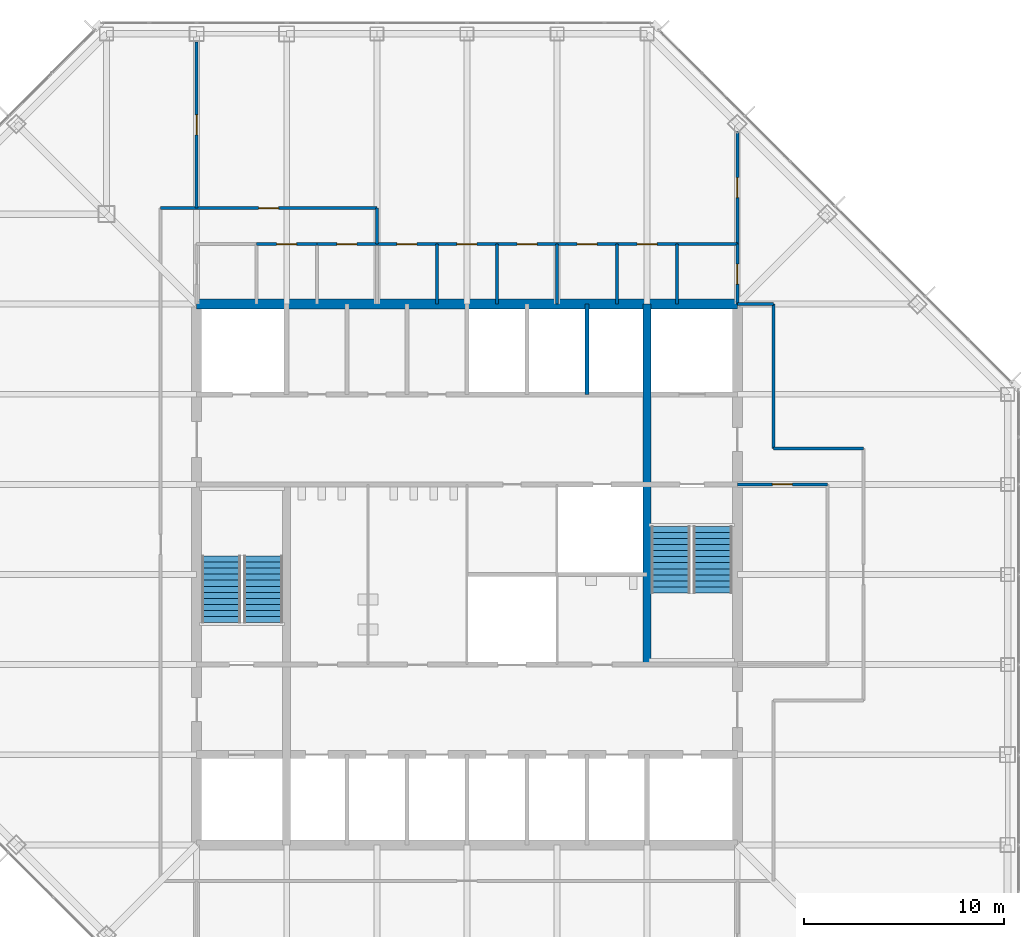
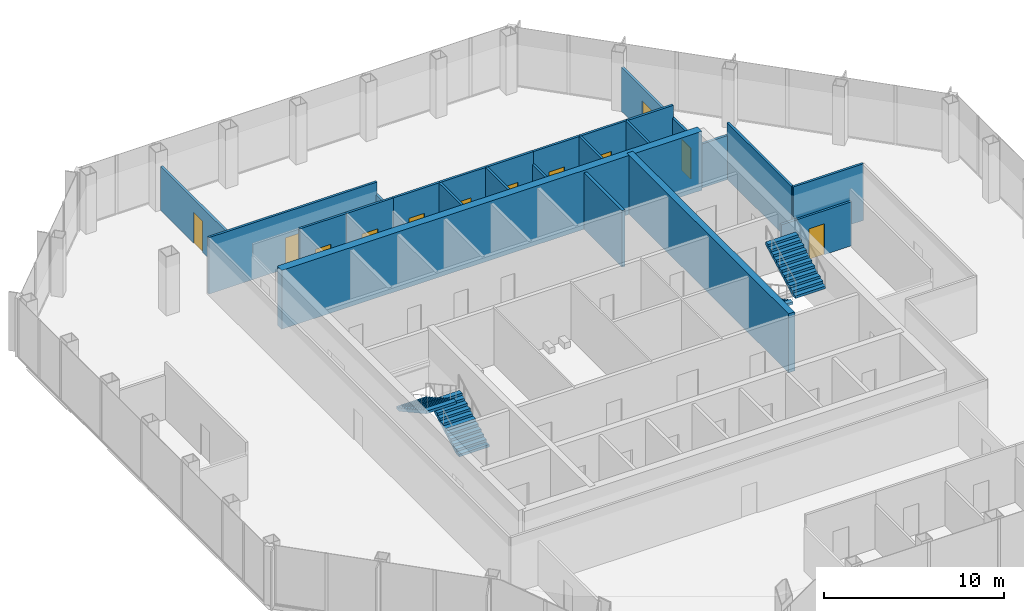
# One storey, part 10 of 12: 25 walls, 12 doors, 4 stair flights, 12 openings, 2 elements without a shape of their own.
"""IFC4 building model written with IfcOpenShell, lengths in metres."""

from ifc_helpers import new_model, si_unit, direction, frame, frame_2d, origin, place, context, subcontext, project, spatial, polyline, rectangle, outline, extrude, material, layer, layer_set, type_object, element, fill, aggregate, save


model = new_model("IFC4")

# Units and contexts
model_context = context("Model", 3, precision=1e-05, world=origin(), true_north=direction((0.0, 1.0)))
body_context = subcontext(model_context, "Body", "Model", "MODEL_VIEW")
ifc_project = project(units=[si_unit("LENGTHUNIT", "METRE"), si_unit("AREAUNIT", "SQUARE_METRE"), si_unit("VOLUMEUNIT", "CUBIC_METRE"), si_unit("PLANEANGLEUNIT", "RADIAN"), si_unit("MASSUNIT", "GRAM", prefix="KILO")], contexts=[model_context])

# Site, building, storey
site_placement = place(None, origin())
site = spatial("IfcSite", under=ifc_project, at=site_placement, CompositionType="ELEMENT")
building_placement = place(site_placement, origin())
building = spatial("IfcBuilding", under=site, at=building_placement, Name="Corais Broadcast Tower", CompositionType="ELEMENT")
storey_placement = place(building_placement, frame((0.0, 0.0, 159.60009765625)))
storey = spatial("IfcBuildingStorey", under=building, at=storey_placement, Name="L36", CompositionType="ELEMENT", Elevation=159.60009765625)

# Walls
ifc_material_1 = material(Name="Concrete C50/60", Category="concrete")
ifc_layer_1 = layer(ifc_material_1, 0.39990234375)
ifc_layer_set_1 = layer_set([ifc_layer_1], Name="Concrete C50/60")
wall_type_1 = type_object("IfcWallType", Name="Core wall 400", PredefinedType="SHEAR", material=ifc_layer_set_1)
wall_1_placement = place(storey_placement, frame((36.0, 22.5, 0.0), z_axis=(0.0, 0.0, 1.0), x_axis=(0.0, 1.0, 0.0)))
element("IfcWall", 1, at=wall_1_placement, inside=storey, type_object=wall_type_1, Name="CR400 core wall X36B L36", PredefinedType="SHEAR", context=body_context, shape_type="SweptSolid", body=[
    extrude(rectangle(XDim=18.0, YDim=0.39990234375, at=frame_2d((9.0, 0.0))), origin(), (0.0, 0.0, 1.0), 4.0),
])
ifc_material_2 = material(Name="Concrete C50/60", Category="concrete")
ifc_layer_2 = layer(ifc_material_2, 0.5)
ifc_layer_set_2 = layer_set([ifc_layer_2], Name="Concrete C50/60")
wall_type_2 = type_object("IfcWallType", Name="Core wall 500", PredefinedType="SHEAR", material=ifc_layer_set_2)
wall_2_placement = place(storey_placement, frame((40.5, 40.5, 0.0), z_axis=(0.0, 0.0, 1.0), x_axis=(-1.0, 0.0, 0.0)))
element("IfcWall", 2, at=wall_2_placement, inside=storey, type_object=wall_type_2, Name="CR500 core wall N L36", PredefinedType="SHEAR", context=body_context, shape_type="SweptSolid", body=[
    extrude(rectangle(XDim=27.0, YDim=0.5, at=frame_2d((13.5, 0.0))), origin(), (0.0, 0.0, 1.0), 4.0),
])

# Wall, opening, door
ifc_material_3 = material(Name="Gypsum board on steel studs", Category="steel")
ifc_layer_3 = layer(ifc_material_3, 0.14990234375)
ifc_layer_set_3 = layer_set([ifc_layer_3], Name="Gypsum board on steel studs")
wall_type_3 = type_object("IfcWallType", Name="Partition 150", PredefinedType="PARTITIONING", material=ifc_layer_set_3)
wall_3_placement = place(storey_placement, frame((22.5, 45.300048828125, 0.0), z_axis=(0.0, 0.0, 1.0), x_axis=(-1.0, 0.0, 0.0)))
wall_3 = element("IfcWall", 3, at=wall_3_placement, inside=storey, type_object=wall_type_3, Name="IW3 corridor wall L36", PredefinedType="PARTITIONING", context=body_context, shape_type="SweptSolid", body=[
    extrude(rectangle(XDim=10.800048828125, YDim=0.14990234375, at=frame_2d((5.39990234375, 0.0))), origin(), (0.0, 0.0, 1.0), 3.83984375),
])
opening_1_placement = place(wall_3_placement, frame((4.89990234375, 0.0, 0.0)))
opening_1 = element("IfcOpeningElement", 4, at=opening_1_placement, cuts=wall_3, Name="Opening D1", PredefinedType="OPENING", context=body_context, shape_type="SweptSolid", body=[
    extrude(rectangle(XDim=1.0, YDim=2.10009765625, at=frame_2d((0.5, 1.050048828125))), frame((0.0, 0.0849609375, 0.0), z_axis=(0.0, -1.0, 0.0), x_axis=(1.0, 0.0, 0.0)), (0.0, 0.0, 1.0), 0.169921875),
])
ifc_material_4 = material(Name="Timber door", Category="wood")
door_type = type_object("IfcDoorType", Name="Single door 1000x2100", OperationType="SINGLE_SWING_LEFT", PredefinedType="DOOR", material=ifc_material_4)
door_1_placement = place(opening_1_placement, origin())
door_1 = element("IfcDoor", 5, at=door_1_placement, inside=storey, type_object=door_type, Name="D1 workplace door L36", OperationType="SINGLE_SWING_LEFT", OverallHeight=2.10009765625, OverallWidth=1.0, PredefinedType="DOOR", context=body_context, shape_type="SweptSolid", body=[
    extrude(rectangle(XDim=1.0, YDim=2.10009765625, at=frame_2d((0.5, 1.050048828125))), frame((0.0, 0.02490234375, 0.0), z_axis=(0.0, -1.0, 0.0), x_axis=(1.0, 0.0, 0.0)), (0.0, 0.0, 1.0), 0.050048828125),
])
fill(opening_1, door_1)

# Walls
wall_4_placement = place(storey_placement, frame((42.300048828125, 33.300048828125, 0.0), z_axis=(0.0, 0.0, 1.0), x_axis=(0.0, 1.0, 0.0)))
element("IfcWall", 6, at=wall_4_placement, inside=storey, type_object=wall_type_3, Name="IW3 corridor wall L36", PredefinedType="PARTITIONING", context=body_context, shape_type="SweptSolid", body=[
    extrude(rectangle(XDim=7.199951171875, YDim=0.14990234375, at=frame_2d((3.60009765625, 0.0))), origin(), (0.0, 0.0, 1.0), 3.83984375),
])
wall_5_placement = place(storey_placement, frame((46.800048828125, 33.300048828125, 0.0), z_axis=(0.0, 0.0, 1.0), x_axis=(-1.0, 0.0, 0.0)))
element("IfcWall", 7, at=wall_5_placement, inside=storey, type_object=wall_type_3, Name="IW3 corridor wall L36", PredefinedType="PARTITIONING", context=body_context, shape_type="SweptSolid", body=[
    extrude(rectangle(XDim=4.5, YDim=0.14990234375, at=frame_2d((2.25, 0.0))), origin(), (0.0, 0.0, 1.0), 3.83984375),
])
for number, where, z_axis, x_axis, name in (
    (8, (22.5, 43.5, 0.0), (0.0, 0.0, 1.0), (0.0, 1.0, 0.0), "IW3 corridor wall L36"),
    (9, (42.300048828125, 40.5, 0.0), (0.0, 0.0, 1.0), (-1.0, 0.0, 0.0), "IW3 corridor wall L36"),
):
    element("IfcWall", number, at=place(storey_placement, frame(where, z_axis=z_axis, x_axis=x_axis)), inside=storey, type_object=wall_type_3, Name=name, PredefinedType="PARTITIONING", context=body_context, shape_type="SweptSolid", body=[
        extrude(rectangle(XDim=1.800048828125, YDim=0.14990234375, at=frame_2d((0.89990234375, 0.0))), origin(), (0.0, 0.0, 1.0), 2.989013671875),
    ])

# Wall, opening, door
wall_6_placement = place(storey_placement, frame((19.5, 43.5, 0.0), z_axis=(0.0, 0.0, 1.0), x_axis=(-1.0, 0.0, 0.0)))
wall_6 = element("IfcWall", 10, at=wall_6_placement, inside=storey, type_object=wall_type_3, Name="IW3 partition L36", PredefinedType="PARTITIONING", context=body_context, shape_type="SweptSolid", body=[
    extrude(rectangle(XDim=3.0, YDim=0.14990234375, at=frame_2d((1.5, 0.0))), origin(), (0.0, 0.0, 1.0), 3.83984375),
])
opening_2_placement = place(wall_6_placement, frame((1.0, 0.0, 0.0)))
opening_2 = element("IfcOpeningElement", 11, at=opening_2_placement, cuts=wall_6, Name="Opening D1", PredefinedType="OPENING", context=body_context, shape_type="SweptSolid", body=[
    extrude(rectangle(XDim=1.0, YDim=2.10009765625, at=frame_2d((0.5, 1.050048828125))), frame((0.0, 0.0849609375, 0.0), z_axis=(0.0, -1.0, 0.0), x_axis=(1.0, 0.0, 0.0)), (0.0, 0.0, 1.0), 0.169921875),
])
door_2_placement = place(opening_2_placement, origin())
door_2 = element("IfcDoor", 12, at=door_2_placement, inside=storey, type_object=door_type, Name="D1 Podcast booth door", OperationType="SINGLE_SWING_LEFT", OverallHeight=2.10009765625, OverallWidth=1.0, PredefinedType="DOOR", context=body_context, shape_type="SweptSolid", body=[
    extrude(rectangle(XDim=1.0, YDim=2.10009765625, at=frame_2d((0.5, 1.050048828125))), frame((0.0, 0.02490234375, 0.0), z_axis=(0.0, -1.0, 0.0), x_axis=(1.0, 0.0, 0.0)), (0.0, 0.0, 1.0), 0.050048828125),
])
fill(opening_2, door_2)

wall_7_placement = place(storey_placement, frame((22.5, 43.5, 0.0), z_axis=(0.0, 0.0, 1.0), x_axis=(-1.0, 0.0, 0.0)))
wall_7 = element("IfcWall", 13, at=wall_7_placement, inside=storey, type_object=wall_type_3, Name="IW3 partition L36", PredefinedType="PARTITIONING", context=body_context, shape_type="SweptSolid", body=[
    extrude(rectangle(XDim=3.0, YDim=0.14990234375, at=frame_2d((1.5, 0.0))), origin(), (0.0, 0.0, 1.0), 3.83984375),
])
opening_3_placement = place(wall_7_placement, frame((1.0, 0.0, 0.0)))
opening_3 = element("IfcOpeningElement", 14, at=opening_3_placement, cuts=wall_7, Name="Opening D1", PredefinedType="OPENING", context=body_context, shape_type="SweptSolid", body=[
    extrude(rectangle(XDim=1.0, YDim=2.10009765625, at=frame_2d((0.5, 1.050048828125))), frame((0.0, 0.0849609375, 0.0), z_axis=(0.0, -1.0, 0.0), x_axis=(1.0, 0.0, 0.0)), (0.0, 0.0, 1.0), 0.169921875),
])
door_3_placement = place(opening_3_placement, origin())
door_3 = element("IfcDoor", 15, at=door_3_placement, inside=storey, type_object=door_type, Name="D1 Podcast booth door", OperationType="SINGLE_SWING_LEFT", OverallHeight=2.10009765625, OverallWidth=1.0, PredefinedType="DOOR", context=body_context, shape_type="SweptSolid", body=[
    extrude(rectangle(XDim=1.0, YDim=2.10009765625, at=frame_2d((0.5, 1.050048828125))), frame((0.0, 0.02490234375, 0.0), z_axis=(0.0, -1.0, 0.0), x_axis=(1.0, 0.0, 0.0)), (0.0, 0.0, 1.0), 0.050048828125),
])
fill(opening_3, door_3)

# Wall
wall_8_placement = place(storey_placement, frame((25.5, 40.5, 0.0), z_axis=(0.0, 0.0, 1.0), x_axis=(0.0, 1.0, 0.0)))
element("IfcWall", 16, at=wall_8_placement, inside=storey, type_object=wall_type_3, Name="IW3 partition L36", PredefinedType="PARTITIONING", context=body_context, shape_type="SweptSolid", body=[
    extrude(rectangle(XDim=3.0, YDim=0.14990234375, at=frame_2d((1.5, 0.0))), origin(), (0.0, 0.0, 1.0), 3.83984375),
])

# Wall, opening, door
wall_9_placement = place(storey_placement, frame((25.5, 43.5, 0.0), z_axis=(0.0, 0.0, 1.0), x_axis=(-1.0, 0.0, 0.0)))
wall_9 = element("IfcWall", 17, at=wall_9_placement, inside=storey, type_object=wall_type_3, Name="IW3 partition L36", PredefinedType="PARTITIONING", context=body_context, shape_type="SweptSolid", body=[
    extrude(rectangle(XDim=3.0, YDim=0.14990234375, at=frame_2d((1.5, 0.0))), origin(), (0.0, 0.0, 1.0), 3.83984375),
])
opening_4_placement = place(wall_9_placement, frame((1.0, 0.0, 0.0)))
opening_4 = element("IfcOpeningElement", 18, at=opening_4_placement, cuts=wall_9, Name="Opening D1", PredefinedType="OPENING", context=body_context, shape_type="SweptSolid", body=[
    extrude(rectangle(XDim=1.0, YDim=2.10009765625, at=frame_2d((0.5, 1.050048828125))), frame((0.0, 0.0849609375, 0.0), z_axis=(0.0, -1.0, 0.0), x_axis=(1.0, 0.0, 0.0)), (0.0, 0.0, 1.0), 0.169921875),
])
door_4_placement = place(opening_4_placement, origin())
door_4 = element("IfcDoor", 19, at=door_4_placement, inside=storey, type_object=door_type, Name="D1 Podcast booth door", OperationType="SINGLE_SWING_LEFT", OverallHeight=2.10009765625, OverallWidth=1.0, PredefinedType="DOOR", context=body_context, shape_type="SweptSolid", body=[
    extrude(rectangle(XDim=1.0, YDim=2.10009765625, at=frame_2d((0.5, 1.050048828125))), frame((0.0, 0.02490234375, 0.0), z_axis=(0.0, -1.0, 0.0), x_axis=(1.0, 0.0, 0.0)), (0.0, 0.0, 1.0), 0.050048828125),
])
fill(opening_4, door_4)

# Wall
wall_10_placement = place(storey_placement, frame((28.5, 40.5, 0.0), z_axis=(0.0, 0.0, 1.0), x_axis=(0.0, 1.0, 0.0)))
element("IfcWall", 20, at=wall_10_placement, inside=storey, type_object=wall_type_3, Name="IW3 partition L36", PredefinedType="PARTITIONING", context=body_context, shape_type="SweptSolid", body=[
    extrude(rectangle(XDim=3.0, YDim=0.14990234375, at=frame_2d((1.5, 0.0))), origin(), (0.0, 0.0, 1.0), 3.83984375),
])

# Wall, opening, door
wall_11_placement = place(storey_placement, frame((28.5, 43.5, 0.0), z_axis=(0.0, 0.0, 1.0), x_axis=(-1.0, 0.0, 0.0)))
wall_11 = element("IfcWall", 21, at=wall_11_placement, inside=storey, type_object=wall_type_3, Name="IW3 partition L36", PredefinedType="PARTITIONING", context=body_context, shape_type="SweptSolid", body=[
    extrude(rectangle(XDim=3.0, YDim=0.14990234375, at=frame_2d((1.5, 0.0))), origin(), (0.0, 0.0, 1.0), 3.83984375),
])
opening_5_placement = place(wall_11_placement, frame((1.0, 0.0, 0.0)))
opening_5 = element("IfcOpeningElement", 22, at=opening_5_placement, cuts=wall_11, Name="Opening D1", PredefinedType="OPENING", context=body_context, shape_type="SweptSolid", body=[
    extrude(rectangle(XDim=1.0, YDim=2.10009765625, at=frame_2d((0.5, 1.050048828125))), frame((0.0, 0.0849609375, 0.0), z_axis=(0.0, -1.0, 0.0), x_axis=(1.0, 0.0, 0.0)), (0.0, 0.0, 1.0), 0.169921875),
])
door_5_placement = place(opening_5_placement, origin())
door_5 = element("IfcDoor", 23, at=door_5_placement, inside=storey, type_object=door_type, Name="D1 Podcast booth door", OperationType="SINGLE_SWING_LEFT", OverallHeight=2.10009765625, OverallWidth=1.0, PredefinedType="DOOR", context=body_context, shape_type="SweptSolid", body=[
    extrude(rectangle(XDim=1.0, YDim=2.10009765625, at=frame_2d((0.5, 1.050048828125))), frame((0.0, 0.02490234375, 0.0), z_axis=(0.0, -1.0, 0.0), x_axis=(1.0, 0.0, 0.0)), (0.0, 0.0, 1.0), 0.050048828125),
])
fill(opening_5, door_5)

# Wall
wall_12_placement = place(storey_placement, frame((31.5, 40.5, 0.0), z_axis=(0.0, 0.0, 1.0), x_axis=(0.0, 1.0, 0.0)))
element("IfcWall", 24, at=wall_12_placement, inside=storey, type_object=wall_type_3, Name="IW3 partition L36", PredefinedType="PARTITIONING", context=body_context, shape_type="SweptSolid", body=[
    extrude(rectangle(XDim=3.0, YDim=0.14990234375, at=frame_2d((1.5, 0.0))), origin(), (0.0, 0.0, 1.0), 2.989013671875),
])

# Wall, opening, door
wall_13_placement = place(storey_placement, frame((31.5, 43.5, 0.0), z_axis=(0.0, 0.0, 1.0), x_axis=(-1.0, 0.0, 0.0)))
wall_13 = element("IfcWall", 25, at=wall_13_placement, inside=storey, type_object=wall_type_3, Name="IW3 partition L36", PredefinedType="PARTITIONING", context=body_context, shape_type="SweptSolid", body=[
    extrude(rectangle(XDim=3.0, YDim=0.14990234375, at=frame_2d((1.5, 0.0))), origin(), (0.0, 0.0, 1.0), 3.83984375),
])
opening_6_placement = place(wall_13_placement, frame((1.0, 0.0, 0.0)))
opening_6 = element("IfcOpeningElement", 26, at=opening_6_placement, cuts=wall_13, Name="Opening D1", PredefinedType="OPENING", context=body_context, shape_type="SweptSolid", body=[
    extrude(rectangle(XDim=1.0, YDim=2.10009765625, at=frame_2d((0.5, 1.050048828125))), frame((0.0, 0.0849609375, 0.0), z_axis=(0.0, -1.0, 0.0), x_axis=(1.0, 0.0, 0.0)), (0.0, 0.0, 1.0), 0.169921875),
])
door_6_placement = place(opening_6_placement, origin())
door_6 = element("IfcDoor", 27, at=door_6_placement, inside=storey, type_object=door_type, Name="D1 Podcast booth door", OperationType="SINGLE_SWING_LEFT", OverallHeight=2.10009765625, OverallWidth=1.0, PredefinedType="DOOR", context=body_context, shape_type="SweptSolid", body=[
    extrude(rectangle(XDim=1.0, YDim=2.10009765625, at=frame_2d((0.5, 1.050048828125))), frame((0.0, 0.02490234375, 0.0), z_axis=(0.0, -1.0, 0.0), x_axis=(1.0, 0.0, 0.0)), (0.0, 0.0, 1.0), 0.050048828125),
])
fill(opening_6, door_6)

# Wall
wall_14_placement = place(storey_placement, frame((34.5, 40.5, 0.0), z_axis=(0.0, 0.0, 1.0), x_axis=(0.0, 1.0, 0.0)))
element("IfcWall", 28, at=wall_14_placement, inside=storey, type_object=wall_type_3, Name="IW3 partition L36", PredefinedType="PARTITIONING", context=body_context, shape_type="SweptSolid", body=[
    extrude(rectangle(XDim=3.0, YDim=0.14990234375, at=frame_2d((1.5, 0.0))), origin(), (0.0, 0.0, 1.0), 3.83984375),
])

# Wall, opening, door
wall_15_placement = place(storey_placement, frame((34.5, 43.5, 0.0), z_axis=(0.0, 0.0, 1.0), x_axis=(-1.0, 0.0, 0.0)))
wall_15 = element("IfcWall", 29, at=wall_15_placement, inside=storey, type_object=wall_type_3, Name="IW3 partition L36", PredefinedType="PARTITIONING", context=body_context, shape_type="SweptSolid", body=[
    extrude(rectangle(XDim=3.0, YDim=0.14990234375, at=frame_2d((1.5, 0.0))), origin(), (0.0, 0.0, 1.0), 3.83984375),
])
opening_7_placement = place(wall_15_placement, frame((1.0, 0.0, 0.0)))
opening_7 = element("IfcOpeningElement", 30, at=opening_7_placement, cuts=wall_15, Name="Opening D1", PredefinedType="OPENING", context=body_context, shape_type="SweptSolid", body=[
    extrude(rectangle(XDim=1.0, YDim=2.10009765625, at=frame_2d((0.5, 1.050048828125))), frame((0.0, 0.0849609375, 0.0), z_axis=(0.0, -1.0, 0.0), x_axis=(1.0, 0.0, 0.0)), (0.0, 0.0, 1.0), 0.169921875),
])
door_7_placement = place(opening_7_placement, origin())
door_7 = element("IfcDoor", 31, at=door_7_placement, inside=storey, type_object=door_type, Name="D1 Podcast booth door", OperationType="SINGLE_SWING_LEFT", OverallHeight=2.10009765625, OverallWidth=1.0, PredefinedType="DOOR", context=body_context, shape_type="SweptSolid", body=[
    extrude(rectangle(XDim=1.0, YDim=2.10009765625, at=frame_2d((0.5, 1.050048828125))), frame((0.0, 0.02490234375, 0.0), z_axis=(0.0, -1.0, 0.0), x_axis=(1.0, 0.0, 0.0)), (0.0, 0.0, 1.0), 0.050048828125),
])
fill(opening_7, door_7)

# Wall
wall_16_placement = place(storey_placement, frame((37.5, 40.5, 0.0), z_axis=(0.0, 0.0, 1.0), x_axis=(0.0, 1.0, 0.0)))
element("IfcWall", 32, at=wall_16_placement, inside=storey, type_object=wall_type_3, Name="IW3 partition L36", PredefinedType="PARTITIONING", context=body_context, shape_type="SweptSolid", body=[
    extrude(rectangle(XDim=3.0, YDim=0.14990234375, at=frame_2d((1.5, 0.0))), origin(), (0.0, 0.0, 1.0), 3.83984375),
])

# Wall, opening, door
wall_17_placement = place(storey_placement, frame((37.5, 43.5, 0.0), z_axis=(0.0, 0.0, 1.0), x_axis=(-1.0, 0.0, 0.0)))
wall_17 = element("IfcWall", 33, at=wall_17_placement, inside=storey, type_object=wall_type_3, Name="IW3 partition L36", PredefinedType="PARTITIONING", context=body_context, shape_type="SweptSolid", body=[
    extrude(rectangle(XDim=3.0, YDim=0.14990234375, at=frame_2d((1.5, 0.0))), origin(), (0.0, 0.0, 1.0), 3.83984375),
])
opening_8_placement = place(wall_17_placement, frame((1.0, 0.0, 0.0)))
opening_8 = element("IfcOpeningElement", 34, at=opening_8_placement, cuts=wall_17, Name="Opening D1", PredefinedType="OPENING", context=body_context, shape_type="SweptSolid", body=[
    extrude(rectangle(XDim=1.0, YDim=2.10009765625, at=frame_2d((0.5, 1.050048828125))), frame((0.0, 0.0849609375, 0.0), z_axis=(0.0, -1.0, 0.0), x_axis=(1.0, 0.0, 0.0)), (0.0, 0.0, 1.0), 0.169921875),
])
door_8_placement = place(opening_8_placement, origin())
door_8 = element("IfcDoor", 35, at=door_8_placement, inside=storey, type_object=door_type, Name="D1 Podcast booth door", OperationType="SINGLE_SWING_LEFT", OverallHeight=2.10009765625, OverallWidth=1.0, PredefinedType="DOOR", context=body_context, shape_type="SweptSolid", body=[
    extrude(rectangle(XDim=1.0, YDim=2.10009765625, at=frame_2d((0.5, 1.050048828125))), frame((0.0, 0.02490234375, 0.0), z_axis=(0.0, -1.0, 0.0), x_axis=(1.0, 0.0, 0.0)), (0.0, 0.0, 1.0), 0.050048828125),
])
fill(opening_8, door_8)

wall_18_placement = place(storey_placement, frame((40.5, 40.5, 0.0), z_axis=(0.0, 0.0, 1.0), x_axis=(0.0, 1.0, 0.0)))
wall_18 = element("IfcWall", 36, at=wall_18_placement, inside=storey, type_object=wall_type_3, Name="IW3 partition L36", PredefinedType="PARTITIONING", context=body_context, shape_type="SweptSolid", body=[
    extrude(rectangle(XDim=3.0, YDim=0.14990234375, at=frame_2d((1.5, 0.0))), origin(), (0.0, 0.0, 1.0), 2.989013671875),
])
opening_9_placement = place(wall_18_placement, frame((1.0, 0.0, 0.0)))
opening_9 = element("IfcOpeningElement", 37, at=opening_9_placement, cuts=wall_18, Name="Opening D1", PredefinedType="OPENING", context=body_context, shape_type="SweptSolid", body=[
    extrude(rectangle(XDim=1.0, YDim=2.10009765625, at=frame_2d((0.5, 1.050048828125))), frame((0.0, 0.0849609375, 0.0), z_axis=(0.0, -1.0, 0.0), x_axis=(1.0, 0.0, 0.0)), (0.0, 0.0, 1.0), 0.169921875),
])
door_9_placement = place(opening_9_placement, origin())
door_9 = element("IfcDoor", 38, at=door_9_placement, inside=storey, type_object=door_type, Name="D1 Podcast booth door", OperationType="SINGLE_SWING_LEFT", OverallHeight=2.10009765625, OverallWidth=1.0, PredefinedType="DOOR", context=body_context, shape_type="SweptSolid", body=[
    extrude(rectangle(XDim=1.0, YDim=2.10009765625, at=frame_2d((0.5, 1.050048828125))), frame((0.0, 0.02490234375, 0.0), z_axis=(0.0, -1.0, 0.0), x_axis=(1.0, 0.0, 0.0)), (0.0, 0.0, 1.0), 0.050048828125),
])
fill(opening_9, door_9)

# Wall
wall_19_placement = place(storey_placement, frame((40.5, 43.5, 0.0), z_axis=(0.0, 0.0, 1.0), x_axis=(-1.0, 0.0, 0.0)))
element("IfcWall", 39, at=wall_19_placement, inside=storey, type_object=wall_type_3, Name="IW3 partition L36", PredefinedType="PARTITIONING", context=body_context, shape_type="SweptSolid", body=[
    extrude(rectangle(XDim=3.0, YDim=0.14990234375, at=frame_2d((1.5, 0.0))), origin(), (0.0, 0.0, 1.0), 3.83984375),
])

# Wall, opening, door
wall_20_placement = place(storey_placement, frame((45.0, 31.5, 0.0), z_axis=(0.0, 0.0, 1.0), x_axis=(-1.0, 0.0, 0.0)))
wall_20 = element("IfcWall", 40, at=wall_20_placement, inside=storey, type_object=wall_type_3, Name="IW3 partition L36", PredefinedType="PARTITIONING", context=body_context, shape_type="SweptSolid", body=[
    extrude(rectangle(XDim=4.5, YDim=0.14990234375, at=frame_2d((2.25, 0.0))), origin(), (0.0, 0.0, 1.0), 2.989013671875),
])
opening_10_placement = place(wall_20_placement, frame((1.75, 0.0, 0.0)))
opening_10 = element("IfcOpeningElement", 41, at=opening_10_placement, cuts=wall_20, Name="Opening D1", PredefinedType="OPENING", context=body_context, shape_type="SweptSolid", body=[
    extrude(rectangle(XDim=1.0, YDim=2.10009765625, at=frame_2d((0.5, 1.050048828125))), frame((0.0, 0.0849609375, 0.0), z_axis=(0.0, -1.0, 0.0), x_axis=(1.0, 0.0, 0.0)), (0.0, 0.0, 1.0), 0.169921875),
])
door_10_placement = place(opening_10_placement, origin())
door_10 = element("IfcDoor", 42, at=door_10_placement, inside=storey, type_object=door_type, Name="D1 Meeting room door", OperationType="SINGLE_SWING_LEFT", OverallHeight=2.10009765625, OverallWidth=1.0, PredefinedType="DOOR", context=body_context, shape_type="SweptSolid", body=[
    extrude(rectangle(XDim=1.0, YDim=2.10009765625, at=frame_2d((0.5, 1.050048828125))), frame((0.0, 0.02490234375, 0.0), z_axis=(0.0, -1.0, 0.0), x_axis=(1.0, 0.0, 0.0)), (0.0, 0.0, 1.0), 0.050048828125),
])
fill(opening_10, door_10)

wall_21_placement = place(storey_placement, frame((40.5, 49.1298828125, 0.0), z_axis=(0.0, 0.0, 1.0), x_axis=(0.0, -1.0, 0.0)))
wall_21 = element("IfcWall", 43, at=wall_21_placement, inside=storey, type_object=wall_type_3, Name="IW3 partition L36", PredefinedType="PARTITIONING", context=body_context, shape_type="SweptSolid", body=[
    extrude(rectangle(XDim=5.6298828125, YDim=0.14990234375, at=frame_2d((2.81494140625, 0.0))), origin(), (0.0, 0.0, 1.0), 2.989013671875),
])
opening_11_placement = place(wall_21_placement, frame((2.31494140625, 0.0, 0.0)))
opening_11 = element("IfcOpeningElement", 44, at=opening_11_placement, cuts=wall_21, Name="Opening D1", PredefinedType="OPENING", context=body_context, shape_type="SweptSolid", body=[
    extrude(rectangle(XDim=1.0, YDim=2.10009765625, at=frame_2d((0.5, 1.050048828125))), frame((0.0, 0.0849609375, 0.0), z_axis=(0.0, -1.0, 0.0), x_axis=(1.0, 0.0, 0.0)), (0.0, 0.0, 1.0), 0.169921875),
])
door_11_placement = place(opening_11_placement, origin())
door_11 = element("IfcDoor", 45, at=door_11_placement, inside=storey, type_object=door_type, Name="D1 team room door L36", OperationType="SINGLE_SWING_LEFT", OverallHeight=2.10009765625, OverallWidth=1.0, PredefinedType="DOOR", context=body_context, shape_type="SweptSolid", body=[
    extrude(rectangle(XDim=1.0, YDim=2.10009765625, at=frame_2d((0.5, 1.050048828125))), frame((0.0, 0.02490234375, 0.0), z_axis=(0.0, -1.0, 0.0), x_axis=(1.0, 0.0, 0.0)), (0.0, 0.0, 1.0), 0.050048828125),
])
fill(opening_11, door_11)

wall_22_placement = place(storey_placement, frame((13.5, 45.300048828125, 0.0), z_axis=(0.0, 0.0, 1.0), x_axis=(0.0, 1.0, 0.0)))
wall_22 = element("IfcWall", 46, at=wall_22_placement, inside=storey, type_object=wall_type_3, Name="IW3 partition L36", PredefinedType="PARTITIONING", context=body_context, shape_type="SweptSolid", body=[
    extrude(rectangle(XDim=8.304931640625, YDim=0.14990234375, at=frame_2d((4.15234375, 0.0))), origin(), (0.0, 0.0, 1.0), 2.989013671875),
])
opening_12_placement = place(wall_22_placement, frame((3.652587890625, 0.0, 0.0)))
opening_12 = element("IfcOpeningElement", 47, at=opening_12_placement, cuts=wall_22, Name="Opening D1", PredefinedType="OPENING", context=body_context, shape_type="SweptSolid", body=[
    extrude(rectangle(XDim=1.0, YDim=2.10009765625, at=frame_2d((0.5, 1.050048828125))), frame((0.0, 0.0849609375, 0.0), z_axis=(0.0, -1.0, 0.0), x_axis=(1.0, 0.0, 0.0)), (0.0, 0.0, 1.0), 0.169921875),
])
door_12_placement = place(opening_12_placement, origin())
door_12 = element("IfcDoor", 48, at=door_12_placement, inside=storey, type_object=door_type, Name="D1 team room door L36", OperationType="SINGLE_SWING_LEFT", OverallHeight=2.10009765625, OverallWidth=1.0, PredefinedType="DOOR", context=body_context, shape_type="SweptSolid", body=[
    extrude(rectangle(XDim=1.0, YDim=2.10009765625, at=frame_2d((0.5, 1.050048828125))), frame((0.0, 0.02490234375, 0.0), z_axis=(0.0, -1.0, 0.0), x_axis=(1.0, 0.0, 0.0)), (0.0, 0.0, 1.0), 0.050048828125),
])
fill(opening_12, door_12)

# Wall
ifc_material_5 = material(Name="Concrete blockwork class A, grouted, two-hour", Category="masonry")
ifc_layer_4 = layer(ifc_material_5, 0.199951171875)
ifc_layer_set_4 = layer_set([ifc_layer_4], Name="Concrete blockwork class A, grouted, two-hour")
wall_type_4 = type_object("IfcWallType", Name="Shaft wall 200", PredefinedType="PARTITIONING", material=ifc_layer_set_4)
wall_23_placement = place(storey_placement, frame((33.0, 36.0, 0.0), z_axis=(0.0, 0.0, 1.0), x_axis=(0.0, 1.0, 0.0)))
element("IfcWall", 49, at=wall_23_placement, inside=storey, type_object=wall_type_4, Name="IW1 shaft wall L36", PredefinedType="PARTITIONING", context=body_context, shape_type="SweptSolid", body=[
    extrude(rectangle(XDim=4.5, YDim=0.199951171875, at=frame_2d((2.25, 0.0))), origin(), (0.0, 0.0, 1.0), 3.83984375),
])

# Stair, stair flights
ifc_material_6 = material(Name="Concrete C30/37", Category="concrete")
stair_type = type_object("IfcStairType", Name="Half-turn stair 4000", PredefinedType="HALF_TURN_STAIR", material=ifc_material_6)
stair_1_placement = place(storey_placement, origin())
stair_1 = element("IfcStair", 50, at=stair_1_placement, inside=storey, type_object=stair_type, Name="Stair A L36", PredefinedType="HALF_TURN_STAIR")
ifc_material_7 = material(Name="Concrete C30/37", Category="concrete")
stair_flight_type = type_object("IfcStairFlightType", Name="Stair flight 4000", PredefinedType="STRAIGHT", material=ifc_material_7)
stair_flight_1_placement = place(storey_placement, frame((16.824951171875, 24.60009765625, 0.0), z_axis=(0.0, 0.0, 1.0), x_axis=(0.0, 1.0, 0.0)))
stair_flight_1 = element("IfcStairFlight", 51, at=stair_flight_1_placement, type_object=stair_flight_type, Name="STA flight 1", NumberOfRisers=12, NumberOfTreads=11, PredefinedType="STRAIGHT", RiserHeight=0.166666667, TreadLength=0.302, context=body_context, shape_type="SweptSolid", body=[
    extrude(outline(polyline([(0.0, 0.0), (0.0, 0.166748046875), (0.302001953125, 0.166748046875), (0.302001953125, 0.333251953125), (0.60400390625, 0.333251953125), (0.60400390625, 0.5), (0.906005859375, 0.5), (0.906005859375, 0.666748046875), (1.2080078125, 0.666748046875), (1.2080078125, 0.833251953125), (1.510009765625, 0.833251953125), (1.510009765625, 1.0), (1.81201171875, 1.0), (1.81201171875, 1.166748046875), (2.114013671875, 1.166748046875), (2.114013671875, 1.333251953125), (2.416015625, 1.333251953125), (2.416015625, 1.5), (2.718017578125, 1.5), (2.718017578125, 1.666748046875), (3.02001953125, 1.666748046875), (3.02001953125, 1.833251953125), (3.322021484375, 1.833251953125), (3.322021484375, 2.0), (3.322021484375, 1.662109375), (0.310302734375, 0.0), (0.0, 0.0)])), frame((0.0, 0.97509765625, 0.0), z_axis=(0.0, -1.0, 0.0), x_axis=(1.0, 0.0, 0.0)), (0.0, 0.0, 1.0), 1.949951171875),
])
stair_flight_2_placement = place(storey_placement, frame((14.72509765625, 27.922119140625, 2.0), z_axis=(0.0, 0.0, 1.0), x_axis=(0.0, -1.0, 0.0)))
stair_flight_2 = element("IfcStairFlight", 52, at=stair_flight_2_placement, type_object=stair_flight_type, Name="STA flight 2", NumberOfRisers=12, NumberOfTreads=11, PredefinedType="STRAIGHT", RiserHeight=0.166666667, TreadLength=0.302, context=body_context, shape_type="SweptSolid", body=[
    extrude(outline(polyline([(0.0, 0.0), (0.0, 0.166748046875), (0.302001953125, 0.166748046875), (0.302001953125, 0.333251953125), (0.60400390625, 0.333251953125), (0.60400390625, 0.5), (0.906005859375, 0.5), (0.906005859375, 0.666748046875), (1.2080078125, 0.666748046875), (1.2080078125, 0.833251953125), (1.510009765625, 0.833251953125), (1.510009765625, 1.0), (1.81201171875, 1.0), (1.81201171875, 1.166748046875), (2.114013671875, 1.166748046875), (2.114013671875, 1.333251953125), (2.416015625, 1.333251953125), (2.416015625, 1.5), (2.718017578125, 1.5), (2.718017578125, 1.666748046875), (3.02001953125, 1.666748046875), (3.02001953125, 1.833251953125), (3.322021484375, 1.833251953125), (3.322021484375, 2.0), (3.322021484375, 1.662109375), (0.310302734375, 0.0), (0.0, 0.0)])), frame((0.0, 0.97509765625, 0.0), z_axis=(0.0, -1.0, 0.0), x_axis=(1.0, 0.0, 0.0)), (0.0, 0.0, 1.0), 1.949951171875),
])
aggregate(stair_1, [stair_flight_1, stair_flight_2])

stair_2_placement = place(storey_placement, origin())
stair_2 = element("IfcStair", 53, at=stair_2_placement, inside=storey, type_object=stair_type, Name="Stair B L36", PredefinedType="HALF_TURN_STAIR")
stair_flight_3_placement = place(storey_placement, frame((37.175048828125, 29.39990234375, 0.0), z_axis=(0.0, 0.0, 1.0), x_axis=(0.0, -1.0, 0.0)))
stair_flight_3 = element("IfcStairFlight", 54, at=stair_flight_3_placement, type_object=stair_flight_type, Name="STB flight 1", NumberOfRisers=12, NumberOfTreads=11, PredefinedType="STRAIGHT", RiserHeight=0.166666667, TreadLength=0.302, context=body_context, shape_type="SweptSolid", body=[
    extrude(outline(polyline([(0.0, 0.0), (0.0, 0.166748046875), (0.302001953125, 0.166748046875), (0.302001953125, 0.333251953125), (0.60400390625, 0.333251953125), (0.60400390625, 0.5), (0.906005859375, 0.5), (0.906005859375, 0.666748046875), (1.2080078125, 0.666748046875), (1.2080078125, 0.833251953125), (1.510009765625, 0.833251953125), (1.510009765625, 1.0), (1.81201171875, 1.0), (1.81201171875, 1.166748046875), (2.114013671875, 1.166748046875), (2.114013671875, 1.333251953125), (2.416015625, 1.333251953125), (2.416015625, 1.5), (2.718017578125, 1.5), (2.718017578125, 1.666748046875), (3.02001953125, 1.666748046875), (3.02001953125, 1.833251953125), (3.322021484375, 1.833251953125), (3.322021484375, 2.0), (3.322021484375, 1.662109375), (0.310302734375, 0.0), (0.0, 0.0)])), frame((0.0, 0.97509765625, 0.0), z_axis=(0.0, -1.0, 0.0), x_axis=(1.0, 0.0, 0.0)), (0.0, 0.0, 1.0), 1.949951171875),
])
stair_flight_4_placement = place(storey_placement, frame((39.27490234375, 26.077880859375, 2.0), z_axis=(0.0, 0.0, 1.0), x_axis=(0.0, 1.0, 0.0)))
stair_flight_4 = element("IfcStairFlight", 55, at=stair_flight_4_placement, type_object=stair_flight_type, Name="STB flight 2", NumberOfRisers=12, NumberOfTreads=11, PredefinedType="STRAIGHT", RiserHeight=0.166666667, TreadLength=0.302, context=body_context, shape_type="SweptSolid", body=[
    extrude(outline(polyline([(0.0, 0.0), (0.0, 0.166748046875), (0.302001953125, 0.166748046875), (0.302001953125, 0.333251953125), (0.60400390625, 0.333251953125), (0.60400390625, 0.5), (0.906005859375, 0.5), (0.906005859375, 0.666748046875), (1.2080078125, 0.666748046875), (1.2080078125, 0.833251953125), (1.510009765625, 0.833251953125), (1.510009765625, 1.0), (1.81201171875, 1.0), (1.81201171875, 1.166748046875), (2.114013671875, 1.166748046875), (2.114013671875, 1.333251953125), (2.416015625, 1.333251953125), (2.416015625, 1.5), (2.718017578125, 1.5), (2.718017578125, 1.666748046875), (3.02001953125, 1.666748046875), (3.02001953125, 1.833251953125), (3.322021484375, 1.833251953125), (3.322021484375, 2.0), (3.322021484375, 1.662109375), (0.310302734375, 0.0), (0.0, 0.0)])), frame((0.0, 0.97509765625, 0.0), z_axis=(0.0, -1.0, 0.0), x_axis=(1.0, 0.0, 0.0)), (0.0, 0.0, 1.0), 1.949951171875),
])
aggregate(stair_2, [stair_flight_3, stair_flight_4])

save(model, "model.ifc")
